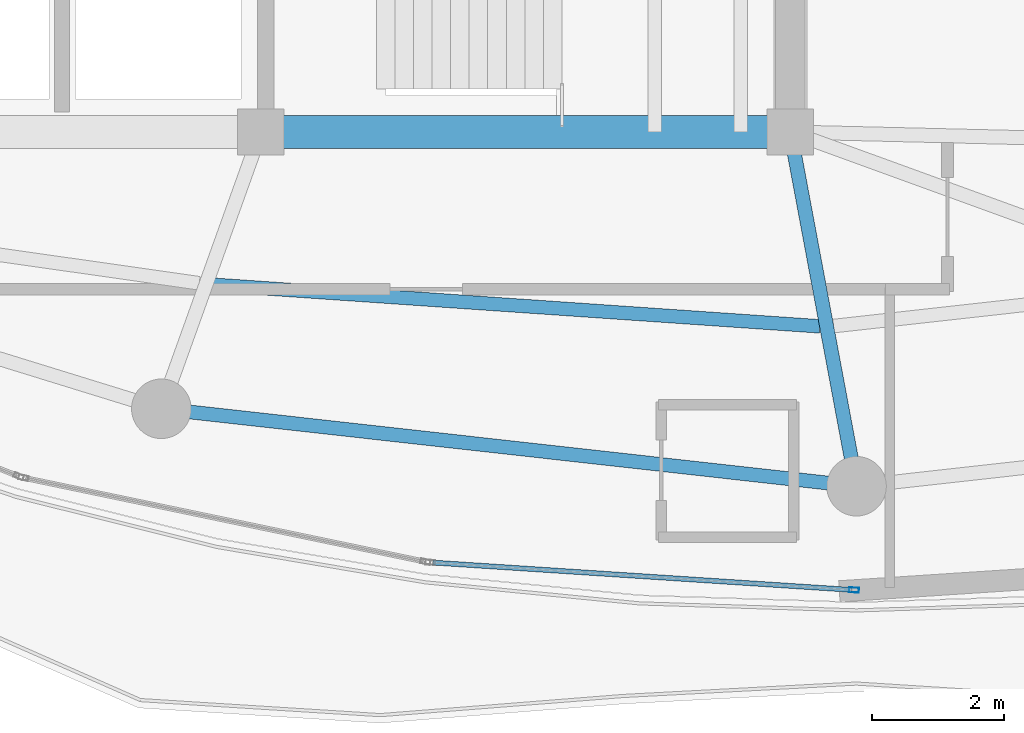
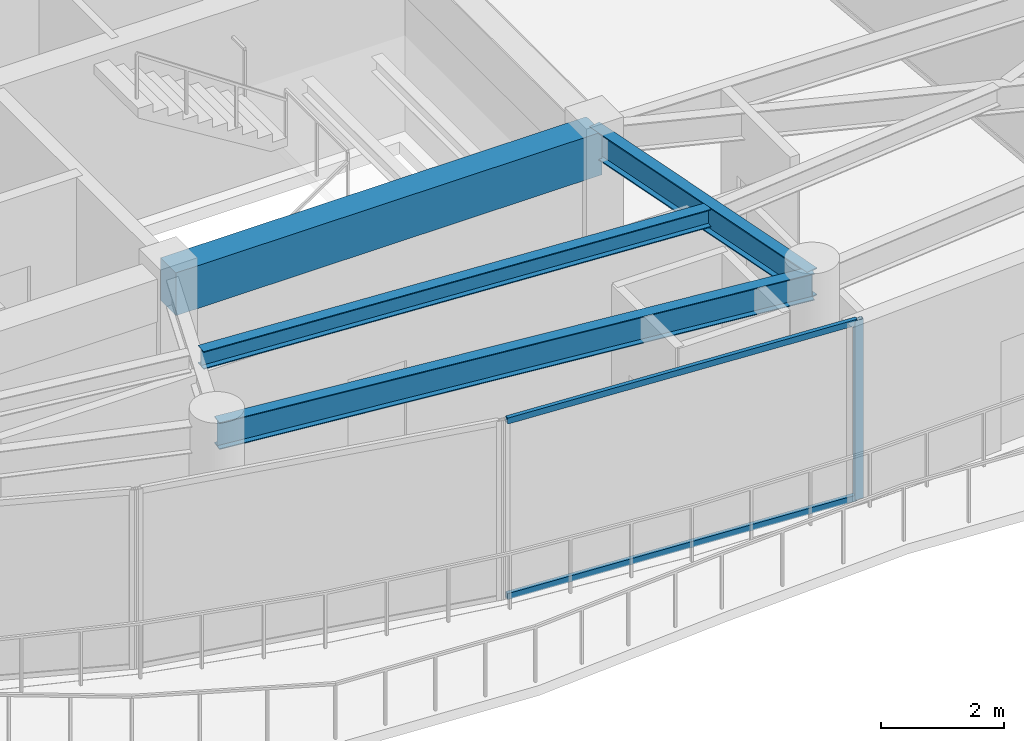
# One storey, part 6 of 23: 4 beams, 3 members, 1 element without a shape of its own.
"""IFC4 building model written with IfcOpenShell, lengths in metres."""

from ifc_helpers import new_model, si_unit, direction, frame, origin, origin_2d, place, context, subcontext, project, spatial, rectangle, hollow_rectangle, i_section, extrude, material, layer, layer_set, material_profile, profile_set, type_object, element, aggregate, save


model = new_model("IFC4")

# Units and contexts
model_context = context("Model", 3, precision=1e-05, world=origin(), true_north=direction((0.0, 1.0)))
body_context = subcontext(model_context, "Body", "Model", "MODEL_VIEW")
ifc_project = project(units=[si_unit("LENGTHUNIT", "METRE"), si_unit("AREAUNIT", "SQUARE_METRE"), si_unit("VOLUMEUNIT", "CUBIC_METRE"), si_unit("PLANEANGLEUNIT", "RADIAN"), si_unit("MASSUNIT", "GRAM", prefix="KILO")], contexts=[model_context])

# Site, building, storey
site_placement = place(None, origin())
site = spatial("IfcSite", under=ifc_project, at=site_placement, CompositionType="ELEMENT")
building_placement = place(site_placement, origin())
building = spatial("IfcBuilding", under=site, at=building_placement, Name="Kazevale Care Tower and Concert Hall", CompositionType="ELEMENT")
storey_placement = place(building_placement, frame((0.0, 0.0, 266.199951171875)))
storey = spatial("IfcBuildingStorey", under=building, at=storey_placement, Name="L70", CompositionType="ELEMENT", Elevation=266.199951171875)

# Curtain wall, members
ifc_material_1 = material(Name="Aluminium 6063-T6 and Low-E Glass", Category="aluminium")
ifc_layer = layer(ifc_material_1, 0.179931640625)
ifc_layer_set = layer_set([ifc_layer], Name="Aluminium 6063-T6 and Low-E Glass")
curtain_wall_type = type_object("IfcCurtainWallType", Name="Sheltered Concave Balcony Curtain Wall CW-5", PredefinedType="NOTDEFINED", material=ifc_layer_set)
curtain_wall_placement = place(storey_placement, origin())
curtain_wall = element("IfcCurtainWall", 1, at=curtain_wall_placement, inside=storey, type_object=curtain_wall_type, Name="cw:L70:f02", PredefinedType="NOTDEFINED")
ifc_material_2 = material(Name="Aluminium 6063-T6", Category="aluminium")
ifc_material_profile_1 = material_profile(ifc_material_2, hollow_rectangle(XDim=0.074951171875, YDim=0.14990234375, WallThickness=0.00390625, at=origin_2d()), Name="ALU75x150x4")
ifc_profile_set_1 = profile_set([ifc_material_profile_1], Name="Aluminium 6063-T6")
member_type_1 = type_object("IfcMemberType", Name="CW-5 Mullion ALU75x150x4", PredefinedType="MULLION", material=ifc_profile_set_1)
member_1_placement = place(storey_placement, frame((44.962646484375, 16.682373046875, 0.0), z_axis=(0.0, 0.0, 1.0), x_axis=(-0.065045771206, -0.997882281458, 0.0)))
member_1 = element("IfcMember", 2, at=member_1_placement, type_object=member_type_1, Name="CW-5 mullion 1", PredefinedType="MULLION", context=body_context, shape_type="SweptSolid", body=[
    extrude(hollow_rectangle(XDim=0.074951171875, YDim=0.14990234375, WallThickness=0.00390625, at=origin_2d()), origin(), (0.0, 0.0, 1.0), 3.56005859375),
])
ifc_material_profile_2 = material_profile(ifc_material_2, hollow_rectangle(XDim=0.074951171875, YDim=0.1201171875, WallThickness=0.00390625, at=origin_2d()), Name="ALU75x120x4")
ifc_profile_set_2 = profile_set([ifc_material_profile_2], Name="Aluminium 6063-T6")
member_type_2 = type_object("IfcMemberType", Name="CW-5 Transom ALU75x120x4", PredefinedType="USERDEFINED", material=ifc_profile_set_2)
member_2_placement = place(storey_placement, frame((44.925048828125, 16.684814453125, 0.03759765625), z_axis=(-0.997881084772, 0.065064127246, 0.0), x_axis=(-0.065064127246, -0.997881084772, 0.0)))
member_2 = element("IfcMember", 3, at=member_2_placement, type_object=member_type_2, Name="CW-5 transom 1.1", ObjectType="TRANSOM", PredefinedType="USERDEFINED", context=body_context, shape_type="SweptSolid", body=[
    extrude(hollow_rectangle(XDim=0.074951171875, YDim=0.1201171875, WallThickness=0.00390625, at=origin_2d()), origin(), (0.0, 0.0, 1.0), 6.337646484375),
])
member_3_placement = place(storey_placement, frame((44.925048828125, 16.684814453125, 3.5224609375), z_axis=(-0.997881084772, 0.065064127246, 0.0), x_axis=(-0.065064127246, -0.997881084772, 0.0)))
member_3 = element("IfcMember", 4, at=member_3_placement, type_object=member_type_2, Name="CW-5 transom 1.2", ObjectType="TRANSOM", PredefinedType="USERDEFINED", context=body_context, shape_type="SweptSolid", body=[
    extrude(hollow_rectangle(XDim=0.074951171875, YDim=0.1201171875, WallThickness=0.00390625, at=origin_2d()), origin(), (0.0, 0.0, 1.0), 6.337646484375),
])
aggregate(curtain_wall, [member_1, member_2, member_3])

# Beams
ifc_material_3 = material(Name="Concrete C60", Category="concrete")
ifc_material_profile_3 = material_profile(ifc_material_3, rectangle(XDim=0.5, YDim=0.85009765625, at=origin_2d()), Name="RC-B500x850")
ifc_profile_set_3 = profile_set([ifc_material_profile_3], Name="Concrete C60")
beam_type_1 = type_object("IfcBeamType", Name="Core Coupling Beam RC500x850", PredefinedType="LINTEL", material=ifc_profile_set_3)
beam_1_placement = place(storey_placement, frame((36.0, 23.60009765625, 3.135009765625), z_axis=(1.0, 0.0, 0.0), x_axis=(0.0, 1.0, 0.0)))
element("IfcBeam", 5, at=beam_1_placement, inside=storey, type_object=beam_type_1, Name="beam:L70:coretie:3", PredefinedType="LINTEL", context=body_context, shape_type="SweptSolid", body=[
    extrude(rectangle(XDim=0.5, YDim=0.85009765625, at=origin_2d()), origin(), (0.0, 0.0, 1.0), 8.0),
])
ifc_material_4 = material(Name="Steel ASTM A572 Gr 50", Category="steel")
ifc_material_profile_4 = material_profile(ifc_material_4, i_section(OverallWidth=0.2119140625, OverallDepth=0.5439453125, WebThickness=0.01318359375, FlangeThickness=0.021240234375, at=origin_2d()), Name="W530x123")
ifc_profile_set_4 = profile_set([ifc_material_profile_4], Name="Steel ASTM A572 Gr 50")
beam_type_2 = type_object("IfcBeamType", Name="Radial Floor Girder W530x123", PredefinedType="BEAM", material=ifc_profile_set_4)
beam_2_placement = place(storey_placement, frame((44.0, 23.60009765625, 3.2880859375), z_axis=(0.183730597003, -0.982976636408, 0.0), x_axis=(0.982976636408, 0.183730597003, 0.0)))
element("IfcBeam", 6, at=beam_2_placement, inside=storey, type_object=beam_type_2, Name="beam:L70:rad:13", PredefinedType="BEAM", context=body_context, shape_type="SweptSolid", body=[
    extrude(i_section(OverallWidth=0.2119140625, OverallDepth=0.5439453125, WebThickness=0.01318359375, FlangeThickness=0.021240234375, at=origin_2d()), origin(), (0.0, 0.0, 1.0), 5.44287109375),
])
ifc_material_profile_5 = material_profile(ifc_material_4, i_section(OverallWidth=0.205078125, OverallDepth=0.35400390625, WebThickness=0.009521484375, FlangeThickness=0.016845703125, at=origin_2d()), Name="W360x79")
ifc_profile_set_5 = profile_set([ifc_material_profile_5], Name="Steel ASTM A572 Gr 50")
beam_type_3 = type_object("IfcBeamType", Name="Secondary Floor Joist W360x79", PredefinedType="JOIST", material=ifc_profile_set_5)
beam_3_placement = place(storey_placement, frame((35.280029296875, 21.2939453125, 3.383056640625), z_axis=(0.997653920332, -0.068459150207, 0.0), x_axis=(0.068459150207, 0.997653920332, 0.0)))
element("IfcBeam", 7, at=beam_3_placement, inside=storey, type_object=beam_type_3, Name="beam:L70:joist:12", PredefinedType="JOIST", context=body_context, shape_type="SweptSolid", body=[
    extrude(i_section(OverallWidth=0.205078125, OverallDepth=0.35400390625, WebThickness=0.009521484375, FlangeThickness=0.016845703125, at=origin_2d()), origin(), (0.0, 0.0, 1.0), 9.1865234375),
])
ifc_material_profile_6 = material_profile(ifc_material_4, i_section(OverallWidth=0.208984375, OverallDepth=0.532958984375, WebThickness=0.01025390625, FlangeThickness=0.015625, at=origin_2d()), Name="W530x92")
ifc_profile_set_6 = profile_set([ifc_material_profile_6], Name="Steel ASTM A572 Gr 50")
beam_type_4 = type_object("IfcBeamType", Name="Upper Ring Beam W530x92", PredefinedType="BEAM", material=ifc_profile_set_6)
beam_4_placement = place(storey_placement, frame((34.5, 19.419921875, 3.29345703125), z_axis=(0.993849870772, -0.110735876598, 0.0), x_axis=(0.110735876598, 0.993849870772, 0.0)))
element("IfcBeam", 8, at=beam_4_placement, inside=storey, type_object=beam_type_4, Name="beam:L70:ring:12", PredefinedType="BEAM", context=body_context, shape_type="SweptSolid", body=[
    extrude(i_section(OverallWidth=0.208984375, OverallDepth=0.532958984375, WebThickness=0.01025390625, FlangeThickness=0.015625, at=origin_2d()), origin(), (0.0, 0.0, 1.0), 10.56494140625),
])

save(model, "model.ifc")
